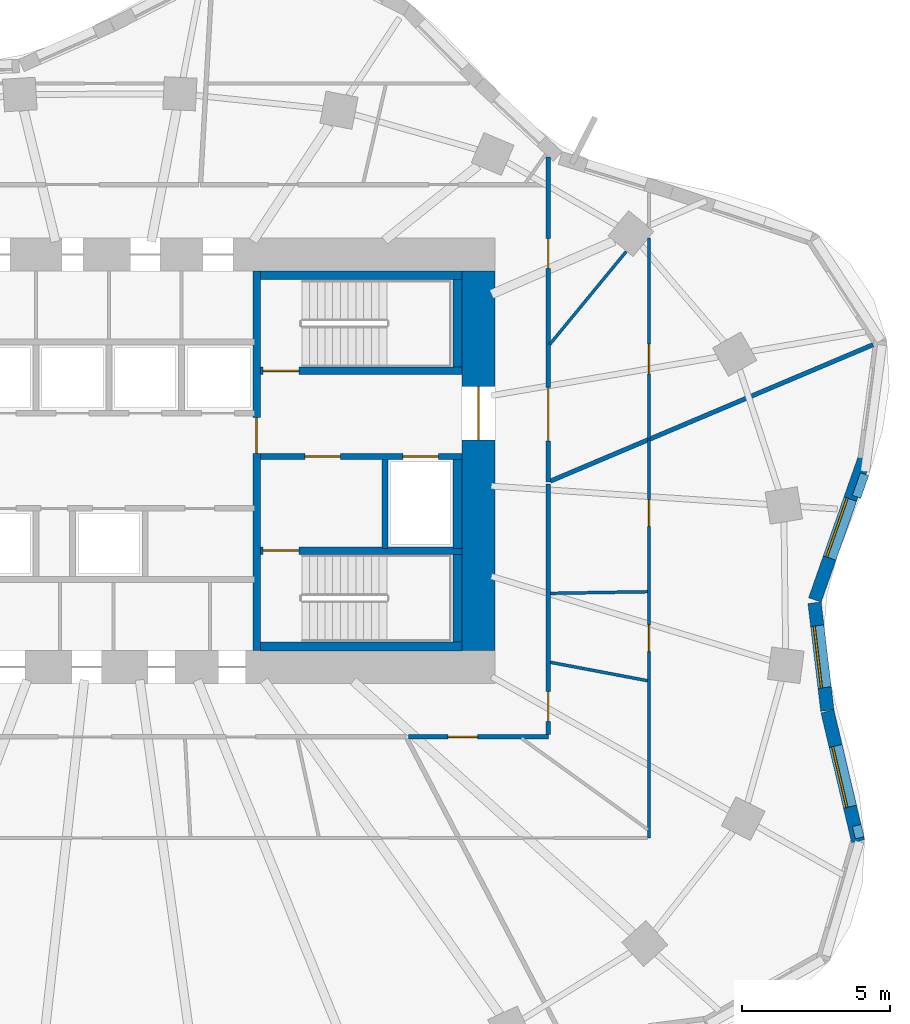
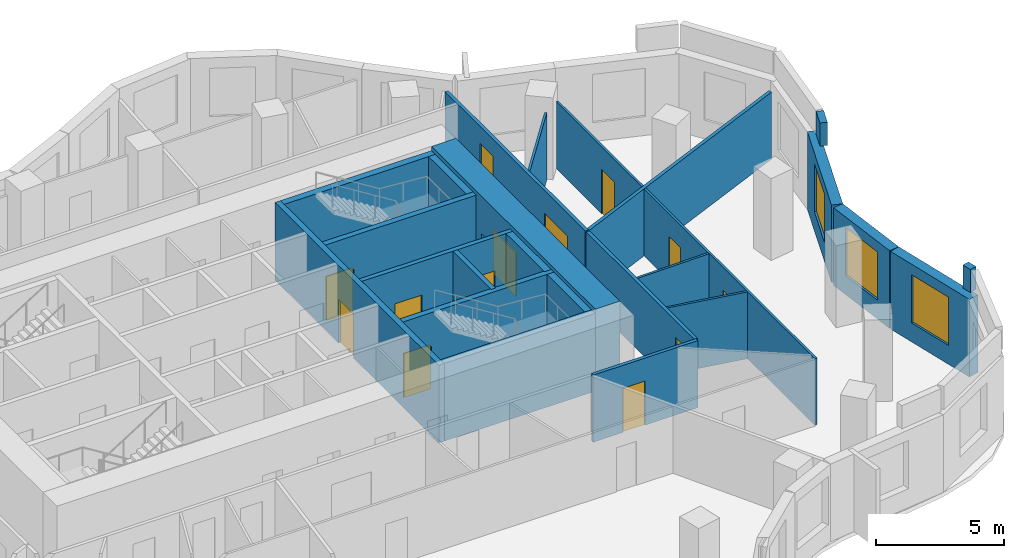
# One storey, part 6 of 9: 25 walls, 13 doors, 3 windows, 16 openings.
"""IFC4 building model written with IfcOpenShell, lengths in metres."""

from ifc_helpers import new_model, si_unit, direction, frame, frame_2d, origin, place, context, subcontext, project, spatial, rectangle, extrude, material, layer, layer_set, type_object, element, fill, save


model = new_model("IFC4")

# Units and contexts
model_context = context("Model", 3, precision=1e-05, world=origin(), true_north=direction((0.0, 1.0)))
body_context = subcontext(model_context, "Body", "Model", "MODEL_VIEW")
ifc_project = project(units=[si_unit("LENGTHUNIT", "METRE"), si_unit("AREAUNIT", "SQUARE_METRE"), si_unit("VOLUMEUNIT", "CUBIC_METRE"), si_unit("PLANEANGLEUNIT", "RADIAN"), si_unit("MASSUNIT", "GRAM", prefix="KILO")], contexts=[model_context])

# Site, building, storey
site_placement = place(None, origin())
site = spatial("IfcSite", under=ifc_project, at=site_placement, CompositionType="ELEMENT")
building_placement = place(site_placement, origin())
building = spatial("IfcBuilding", under=site, at=building_placement, Name="Rubra Terraces Tower", CompositionType="ELEMENT")
storey_placement = place(building_placement, frame((0.0, 0.0, 142.199951171875)))
storey = spatial("IfcBuildingStorey", under=building, at=storey_placement, Name="L34", CompositionType="ELEMENT", Elevation=142.199951171875)

# Wall, opening, window
ifc_material_1 = material(Name="Brick masonry red-brown", Category="masonry")
ifc_layer_1 = layer(ifc_material_1, 0.449951171875)
ifc_layer_set_1 = layer_set([ifc_layer_1], Name="Brick masonry red-brown")
wall_type_1 = type_object("IfcWallType", Name="Brick facade wall 450", PredefinedType="SOLIDWALL", material=ifc_layer_set_1)
wall_1_placement = place(storey_placement, frame((23.782470703125, -0.189208984375, 0.0), z_axis=(0.0, 0.0, 1.0), x_axis=(0.330794307703, 0.943702880144, 0.0)))
wall_1 = element("IfcWall", 1, at=wall_1_placement, inside=storey, type_object=wall_type_1, Name="Facade wall L34 bay 1", PredefinedType="SOLIDWALL", context=body_context, shape_type="SweptSolid", body=[
    extrude(rectangle(XDim=5.095458984375, YDim=0.449951171875, at=frame_2d((2.5478515625, 0.0))), origin(), (0.0, 0.0, 1.0), 3.699951171875),
])
opening_1_placement = place(wall_1_placement, frame((1.497802734375, 0.0, 0.89990234375)))
opening_1 = element("IfcOpeningElement", 2, at=opening_1_placement, cuts=wall_1, Name="Opening W1B", PredefinedType="OPENING", context=body_context, shape_type="SweptSolid", body=[
    extrude(rectangle(XDim=2.10009765625, YDim=2.300048828125, at=frame_2d((1.050048828125, 1.14990234375))), frame((0.0, 0.23486328125, 0.0), z_axis=(0.0, -1.0, 0.0), x_axis=(1.0, 0.0, 0.0)), (0.0, 0.0, 1.0), 0.469970703125),
])
ifc_material_2 = material(Name="Clear glass in aluminium frame", Category="aluminium")
window_type = type_object("IfcWindowType", Name="Fixed deep-set window tall storey 2100 x 2300", PartitioningType="SINGLE_PANEL", PredefinedType="WINDOW", material=ifc_material_2)
window_1_placement = place(opening_1_placement, origin())
window_1 = element("IfcWindow", 3, at=window_1_placement, inside=storey, type_object=window_type, Name="Window L34 bay 1", OverallHeight=2.300048828125, OverallWidth=2.10009765625, PartitioningType="SINGLE_PANEL", PredefinedType="WINDOW", context=body_context, shape_type="SweptSolid", body=[
    extrude(rectangle(XDim=2.10009765625, YDim=2.300048828125, at=frame_2d((1.050048828125, 1.14990234375))), frame((0.0, 0.135009765625, 0.0), z_axis=(0.0, -1.0, 0.0), x_axis=(1.0, 0.0, 0.0)), (0.0, 0.0, 1.0), 0.06005859375),
])
fill(opening_1, window_1)

wall_2_placement = place(storey_placement, frame((25.23974609375, -8.3193359375, 0.0), z_axis=(0.0, 0.0, 1.0), x_axis=(-0.230037604827, 0.973181740666, 0.0)))
wall_2 = element("IfcWall", 4, at=wall_2_placement, inside=storey, type_object=wall_type_1, Name="Facade wall L34 bay 39", PredefinedType="SOLIDWALL", context=body_context, shape_type="SweptSolid", body=[
    extrude(rectangle(XDim=4.497802734375, YDim=0.449951171875, at=frame_2d((2.2490234375, 0.0))), origin(), (0.0, 0.0, 1.0), 3.699951171875),
])
opening_2_placement = place(wall_2_placement, frame((1.198974609375, 0.0, 0.89990234375)))
opening_2 = element("IfcOpeningElement", 5, at=opening_2_placement, cuts=wall_2, Name="Opening W1B", PredefinedType="OPENING", context=body_context, shape_type="SweptSolid", body=[
    extrude(rectangle(XDim=2.10009765625, YDim=2.300048828125, at=frame_2d((1.050048828125, 1.14990234375))), frame((0.0, 0.23486328125, 0.0), z_axis=(0.0, -1.0, 0.0), x_axis=(1.0, 0.0, 0.0)), (0.0, 0.0, 1.0), 0.469970703125),
])
window_2_placement = place(opening_2_placement, origin())
window_2 = element("IfcWindow", 6, at=window_2_placement, inside=storey, type_object=window_type, Name="Window L34 bay 39", OverallHeight=2.300048828125, OverallWidth=2.10009765625, PartitioningType="SINGLE_PANEL", PredefinedType="WINDOW", context=body_context, shape_type="SweptSolid", body=[
    extrude(rectangle(XDim=2.10009765625, YDim=2.300048828125, at=frame_2d((1.050048828125, 1.14990234375))), frame((0.0, 0.135009765625, 0.0), z_axis=(0.0, -1.0, 0.0), x_axis=(1.0, 0.0, 0.0)), (0.0, 0.0, 1.0), 0.06005859375),
])
fill(opening_2, window_2)

wall_3_placement = place(storey_placement, frame((24.200927734375, -3.915283203125, 0.0), z_axis=(0.0, 0.0, 1.0), x_axis=(-0.117623597589, 0.993058250703, 0.0)))
wall_3 = element("IfcWall", 7, at=wall_3_placement, inside=storey, type_object=wall_type_1, Name="Facade wall L34 bay 40", PredefinedType="SOLIDWALL", context=body_context, shape_type="SweptSolid", body=[
    extrude(rectangle(XDim=3.6572265625, YDim=0.449951171875, at=frame_2d((1.82861328125, 0.0))), origin(), (0.0, 0.0, 1.0), 3.699951171875),
])
opening_3_placement = place(wall_3_placement, frame((0.77880859375, 0.0, 0.89990234375)))
opening_3 = element("IfcOpeningElement", 8, at=opening_3_placement, cuts=wall_3, Name="Opening W1B", PredefinedType="OPENING", context=body_context, shape_type="SweptSolid", body=[
    extrude(rectangle(XDim=2.10009765625, YDim=2.300048828125, at=frame_2d((1.050048828125, 1.14990234375))), frame((0.0, 0.23486328125, 0.0), z_axis=(0.0, -1.0, 0.0), x_axis=(1.0, 0.0, 0.0)), (0.0, 0.0, 1.0), 0.469970703125),
])
window_3_placement = place(opening_3_placement, origin())
window_3 = element("IfcWindow", 9, at=window_3_placement, inside=storey, type_object=window_type, Name="Window L34 bay 40", OverallHeight=2.300048828125, OverallWidth=2.10009765625, PartitioningType="SINGLE_PANEL", PredefinedType="WINDOW", context=body_context, shape_type="SweptSolid", body=[
    extrude(rectangle(XDim=2.10009765625, YDim=2.300048828125, at=frame_2d((1.050048828125, 1.14990234375))), frame((0.0, 0.135009765625, 0.0), z_axis=(0.0, -1.0, 0.0), x_axis=(1.0, 0.0, 0.0)), (0.0, 0.0, 1.0), 0.06005859375),
])
fill(opening_3, window_3)

# Walls
ifc_layer_2 = layer(ifc_material_1, 0.300048828125)
ifc_layer_set_2 = layer_set([ifc_layer_2], Name="Brick masonry red-brown")
wall_type_2 = type_object("IfcWallType", Name="Brick parapet 300", PredefinedType="PARAPET", material=ifc_layer_set_2)
wall_4_placement = place(storey_placement, frame((25.185302734375, 3.284912109375, 3.900146484375), z_axis=(0.0, 0.0, 1.0), x_axis=(0.330927638021, 0.943656133554, 0.0)))
element("IfcWall", 10, at=wall_4_placement, inside=storey, type_object=wall_type_2, Name="Parapet L34 bay 1", PredefinedType="PARAPET", context=body_context, shape_type="SweptSolid", body=[
    extrude(rectangle(XDim=0.81005859375, YDim=0.300048828125, at=frame_2d((0.405029296875, 0.0))), origin(), (0.0, 0.0, 1.0), 1.099853515625),
])
wall_5_placement = place(storey_placement, frame((25.288818359375, -8.200927734375, 3.900146484375), z_axis=(0.0, 0.0, 1.0), x_axis=(-0.229581787316, 0.97328937266, 0.0)))
element("IfcWall", 11, at=wall_5_placement, inside=storey, type_object=wall_type_2, Name="Parapet L34 bay 39", PredefinedType="PARAPET", context=body_context, shape_type="SweptSolid", body=[
    extrude(rectangle(XDim=0.426513671875, YDim=0.300048828125, at=frame_2d((0.21337890625, 0.0))), origin(), (0.0, 0.0, 1.0), 1.099853515625),
])

# Wall, opening, door
ifc_material_3 = material(Name="Concrete C60", Category="concrete")
ifc_layer_3 = layer(ifc_material_3, 1.10009765625)
ifc_layer_set_3 = layer_set([ifc_layer_3], Name="Concrete C60")
wall_type_3 = type_object("IfcWallType", Name="CORE WALL 1100 C60", PredefinedType="SHEAR", material=ifc_layer_set_3)
wall_6_placement = place(storey_placement, frame((12.449951171875, -1.89990234375, 0.0), z_axis=(0.0, 0.0, 1.0), x_axis=(0.0, 1.0, 0.0)))
wall_6 = element("IfcWall", 12, at=wall_6_placement, inside=storey, type_object=wall_type_3, Name="CORE WALL E L34", PredefinedType="SHEAR", context=body_context, shape_type="SweptSolid", body=[
    extrude(rectangle(XDim=12.7998046875, YDim=1.10009765625, at=frame_2d((6.39990234375, 0.0))), origin(), (0.0, 0.0, 1.0), 3.900146484375),
])
opening_4_placement = place(wall_6_placement, frame((7.10009765625, 0.0, 0.0)))
opening_4 = element("IfcOpeningElement", 13, at=opening_4_placement, cuts=wall_6, Name="Opening L34.C02", PredefinedType="OPENING", context=body_context, shape_type="SweptSolid", body=[
    extrude(rectangle(XDim=1.800048828125, YDim=2.10009765625, at=frame_2d((0.89990234375, 1.050048828125))), frame((0.0, 0.56005859375, 0.0), z_axis=(0.0, -1.0, 0.0), x_axis=(1.0, 0.0, 0.0)), (0.0, 0.0, 1.0), 1.1201171875),
])
ifc_material_4 = material(Name="Painted steel", Category="steel")
door_type_1 = type_object("IfcDoorType", Name="Fire door 1800x2100 double", OperationType="NOTDEFINED", PredefinedType="DOOR", material=ifc_material_4)
door_1_placement = place(opening_4_placement, origin())
door_1 = element("IfcDoor", 14, at=door_1_placement, inside=storey, type_object=door_type_1, Name="Core entrance door FF2", OperationType="DOUBLE_DOOR_SINGLE_SWING", OverallHeight=2.10009765625, OverallWidth=1.800048828125, PredefinedType="DOOR", context=body_context, shape_type="SweptSolid", body=[
    extrude(rectangle(XDim=1.800048828125, YDim=2.10009765625, at=frame_2d((0.89990234375, 1.050048828125))), frame((0.0, 0.02490234375, 0.0), z_axis=(0.0, -1.0, 0.0), x_axis=(1.0, 0.0, 0.0)), (0.0, 0.0, 1.0), 0.050048828125),
])
fill(opening_4, door_1)

# Wall, openings, doors
ifc_material_5 = material(Name="Plasterboard on steel stud, mineral wool infill", Category="steel")
ifc_layer_4 = layer(ifc_material_5, 0.14990234375)
ifc_layer_set_4 = layer_set([ifc_layer_4], Name="Plasterboard on steel stud, mineral wool infill")
wall_type_4 = type_object("IfcWallType", Name="CORRIDOR PARTITION 150", PredefinedType="PARTITIONING", material=ifc_layer_set_4)
wall_7_placement = place(storey_placement, frame((14.800048828125, 3.78369140625, 0.0), z_axis=(0.0, 0.0, 1.0), x_axis=(0.0, 1.0, 0.0)))
wall_7 = element("IfcWall", 15, at=wall_7_placement, inside=storey, type_object=wall_type_4, Name="PARTITION", PredefinedType="PARTITIONING", context=body_context, shape_type="SweptSolid", body=[
    extrude(rectangle(XDim=10.943115234375, YDim=0.14990234375, at=frame_2d((5.4716796875, 0.0))), origin(), (0.0, 0.0, 1.0), 3.197998046875),
])
opening_5_placement = place(wall_7_placement, frame((1.386962890625, 0.0, 0.0)))
opening_5 = element("IfcOpeningElement", 16, at=opening_5_placement, cuts=wall_7, Name="Opening 34-101", PredefinedType="OPENING", context=body_context, shape_type="SweptSolid", body=[
    extrude(rectangle(XDim=1.800048828125, YDim=2.10009765625, at=frame_2d((0.89990234375, 1.050048828125))), frame((0.0, 0.0849609375, 0.0), z_axis=(0.0, -1.0, 0.0), x_axis=(1.0, 0.0, 0.0)), (0.0, 0.0, 1.0), 0.169921875),
])
opening_6_placement = place(wall_7_placement, frame((7.198974609375, 0.0, 0.0)))
opening_6 = element("IfcOpeningElement", 17, at=opening_6_placement, cuts=wall_7, Name="Opening 34-103", PredefinedType="OPENING", context=body_context, shape_type="SweptSolid", body=[
    extrude(rectangle(XDim=1.0, YDim=2.39990234375, at=frame_2d((0.5, 1.199951171875))), frame((0.0, 0.0849609375, 0.0), z_axis=(0.0, -1.0, 0.0), x_axis=(1.0, 0.0, 0.0)), (0.0, 0.0, 1.0), 0.169921875),
])
ifc_material_6 = material(Name="Glazed aluminium meeting door leaf", Category="aluminium")
door_type_2 = type_object("IfcDoorType", Name="MEETING ROOM GLAZED DOOR 1000 X 2400", OperationType="SINGLE_SWING_LEFT", PredefinedType="DOOR", material=ifc_material_6)
door_2_placement = place(opening_6_placement, origin())
door_2 = element("IfcDoor", 18, at=door_2_placement, inside=storey, type_object=door_type_2, Name="DOOR 34-103", OperationType="SINGLE_SWING_RIGHT", OverallHeight=2.39990234375, OverallWidth=1.0, PredefinedType="DOOR", context=body_context, shape_type="SweptSolid", body=[
    extrude(rectangle(XDim=1.0, YDim=2.39990234375, at=frame_2d((0.5, 1.199951171875))), frame((0.0, 0.02490234375, 0.0), z_axis=(0.0, -1.0, 0.0), x_axis=(1.0, 0.0, 0.0)), (0.0, 0.0, 1.0), 0.050048828125),
])
fill(opening_6, door_2)
ifc_material_7 = material(Name="Painted timber door leaf, double", Category="wood")
door_type_3 = type_object("IfcDoorType", Name="ROOM DOUBLE DOOR 1800 X 2100", OperationType="DOUBLE_DOOR_SINGLE_SWING", PredefinedType="DOOR", material=ifc_material_7)
door_3_placement = place(opening_5_placement, origin())
door_3 = element("IfcDoor", 19, at=door_3_placement, inside=storey, type_object=door_type_3, Name="DOOR 34-101", OperationType="DOUBLE_DOOR_SINGLE_SWING", OverallHeight=2.10009765625, OverallWidth=1.800048828125, PredefinedType="DOOR", context=body_context, shape_type="SweptSolid", body=[
    extrude(rectangle(XDim=1.800048828125, YDim=2.10009765625, at=frame_2d((0.89990234375, 1.050048828125))), frame((0.0, 0.02490234375, 0.0), z_axis=(0.0, -1.0, 0.0), x_axis=(1.0, 0.0, 0.0)), (0.0, 0.0, 1.0), 0.050048828125),
])
fill(opening_5, door_3)

# Wall, opening, door
wall_8_placement = place(storey_placement, frame((10.086181640625, -4.800048828125, 0.0), z_axis=(0.0, 0.0, 1.0), x_axis=(1.0, 0.0, 0.0)))
wall_8 = element("IfcWall", 20, at=wall_8_placement, inside=storey, type_object=wall_type_4, Name="PARTITION", PredefinedType="PARTITIONING", context=body_context, shape_type="SweptSolid", body=[
    extrude(rectangle(XDim=4.7138671875, YDim=0.14990234375, at=frame_2d((2.35693359375, 0.0))), origin(), (0.0, 0.0, 1.0), 3.197998046875),
])
opening_7_placement = place(wall_8_placement, frame((1.3369140625, 0.0, 0.0)))
opening_7 = element("IfcOpeningElement", 21, at=opening_7_placement, cuts=wall_8, Name="Opening 34-119", PredefinedType="OPENING", context=body_context, shape_type="SweptSolid", body=[
    extrude(rectangle(XDim=1.0, YDim=2.10009765625, at=frame_2d((0.5, 1.050048828125))), frame((0.0, 0.0849609375, 0.0), z_axis=(0.0, -1.0, 0.0), x_axis=(1.0, 0.0, 0.0)), (0.0, 0.0, 1.0), 0.169921875),
])
ifc_material_8 = material(Name="Painted timber door leaf", Category="wood")
door_type_4 = type_object("IfcDoorType", Name="ROOM DOOR 1000 X 2100", OperationType="SINGLE_SWING_LEFT", PredefinedType="DOOR", material=ifc_material_8)
door_4_placement = place(opening_7_placement, origin())
door_4 = element("IfcDoor", 22, at=door_4_placement, inside=storey, type_object=door_type_4, Name="DOOR 34-119", OperationType="SINGLE_SWING_RIGHT", OverallHeight=2.10009765625, OverallWidth=1.0, PredefinedType="DOOR", context=body_context, shape_type="SweptSolid", body=[
    extrude(rectangle(XDim=1.0, YDim=2.10009765625, at=frame_2d((0.5, 1.050048828125))), frame((0.0, 0.02490234375, 0.0), z_axis=(0.0, -1.0, 0.0), x_axis=(1.0, 0.0, 0.0)), (0.0, 0.0, 1.0), 0.050048828125),
])
fill(opening_7, door_4)

wall_9_placement = place(storey_placement, frame((14.800048828125, -4.72509765625, 0.0), z_axis=(0.0, 0.0, 1.0), x_axis=(0.0, 1.0, 0.0)))
wall_9 = element("IfcWall", 23, at=wall_9_placement, inside=storey, type_object=wall_type_4, Name="PARTITION", PredefinedType="PARTITIONING", context=body_context, shape_type="SweptSolid", body=[
    extrude(rectangle(XDim=8.433837890625, YDim=0.14990234375, at=frame_2d((4.216796875, 0.0))), origin(), (0.0, 0.0, 1.0), 3.197998046875),
])
opening_8_placement = place(wall_9_placement, frame((0.449951171875, 0.0, 0.0)))
opening_8 = element("IfcOpeningElement", 24, at=opening_8_placement, cuts=wall_9, Name="Opening 34-121", PredefinedType="OPENING", context=body_context, shape_type="SweptSolid", body=[
    extrude(rectangle(XDim=1.0, YDim=2.39990234375, at=frame_2d((0.5, 1.199951171875))), frame((0.0, 0.0849609375, 0.0), z_axis=(0.0, -1.0, 0.0), x_axis=(1.0, 0.0, 0.0)), (0.0, 0.0, 1.0), 0.169921875),
])
door_5_placement = place(opening_8_placement, origin())
door_5 = element("IfcDoor", 25, at=door_5_placement, inside=storey, type_object=door_type_2, Name="DOOR 34-121", OperationType="SINGLE_SWING_RIGHT", OverallHeight=2.39990234375, OverallWidth=1.0, PredefinedType="DOOR", context=body_context, shape_type="SweptSolid", body=[
    extrude(rectangle(XDim=1.0, YDim=2.39990234375, at=frame_2d((0.5, 1.199951171875))), frame((0.0, 0.02490234375, 0.0), z_axis=(0.0, -1.0, 0.0), x_axis=(1.0, 0.0, 0.0)), (0.0, 0.0, 1.0), 0.050048828125),
])
fill(opening_8, door_5)

# Walls
ifc_material_9 = material(Name="Concrete C40", Category="concrete")
ifc_layer_5 = layer(ifc_material_9, 0.300048828125)
ifc_layer_set_5 = layer_set([ifc_layer_5], Name="Concrete C40")
wall_type_5 = type_object("IfcWallType", Name="Core lining wall 300 concrete", PredefinedType="SOLIDWALL", material=ifc_layer_set_5)
wall_10_placement = place(storey_placement, frame((11.89990234375, 10.75, 0.0), z_axis=(0.0, 0.0, 1.0), x_axis=(-1.0, 0.0, 0.0)))
element("IfcWall", 26, at=wall_10_placement, inside=storey, type_object=wall_type_5, Name="CORE LINING WALL L34", PredefinedType="SOLIDWALL", context=body_context, shape_type="SweptSolid", body=[
    extrude(rectangle(XDim=6.7998046875, YDim=0.300048828125, at=frame_2d((3.39990234375, 0.0))), origin(), (0.0, 0.0, 1.0), 3.699951171875),
])
wall_11_placement = place(storey_placement, frame((11.75, 10.60009765625, 0.0), z_axis=(0.0, 0.0, 1.0), x_axis=(0.0, -1.0, 0.0)))
element("IfcWall", 27, at=wall_11_placement, inside=storey, type_object=wall_type_5, Name="CORE LINING WALL L34", PredefinedType="SOLIDWALL", context=body_context, shape_type="SweptSolid", body=[
    extrude(rectangle(XDim=2.9501953125, YDim=0.300048828125, at=frame_2d((1.47509765625, 0.0))), origin(), (0.0, 0.0, 1.0), 3.699951171875),
])
wall_12_placement = place(storey_placement, frame((11.75, 4.550048828125, 0.0), z_axis=(0.0, 0.0, 1.0), x_axis=(0.0, -1.0, 0.0)))
element("IfcWall", 28, at=wall_12_placement, inside=storey, type_object=wall_type_5, Name="CORE LINING WALL L34", PredefinedType="SOLIDWALL", context=body_context, shape_type="SweptSolid", body=[
    extrude(rectangle(XDim=3.0, YDim=0.300048828125, at=frame_2d((1.5, 0.0))), origin(), (0.0, 0.0, 1.0), 3.699951171875),
])
wall_13_placement = place(storey_placement, frame((11.75, 1.35009765625, 0.0), z_axis=(0.0, 0.0, 1.0), x_axis=(0.0, -1.0, 0.0)))
element("IfcWall", 29, at=wall_13_placement, inside=storey, type_object=wall_type_5, Name="CORE LINING WALL L34", PredefinedType="SOLIDWALL", context=body_context, shape_type="SweptSolid", body=[
    extrude(rectangle(XDim=2.9501953125, YDim=0.300048828125, at=frame_2d((1.47509765625, 0.0))), origin(), (0.0, 0.0, 1.0), 3.699951171875),
])
wall_14_placement = place(storey_placement, frame((11.89990234375, -1.75, 0.0), z_axis=(0.0, 0.0, 1.0), x_axis=(-1.0, 0.0, 0.0)))
element("IfcWall", 30, at=wall_14_placement, inside=storey, type_object=wall_type_5, Name="CORE LINING WALL L34", PredefinedType="SOLIDWALL", context=body_context, shape_type="SweptSolid", body=[
    extrude(rectangle(XDim=6.7998046875, YDim=0.300048828125, at=frame_2d((3.39990234375, 0.0))), origin(), (0.0, 0.0, 1.0), 3.699951171875),
])

# Wall, openings, doors
ifc_material_10 = material(Name="Concrete C30", Category="concrete")
ifc_layer_6 = layer(ifc_material_10, 0.199951171875)
ifc_layer_set_6 = layer_set([ifc_layer_6], Name="Concrete C30")
wall_type_6 = type_object("IfcWallType", Name="Core wall 200 concrete", PredefinedType="SOLIDWALL", material=ifc_layer_set_6)
wall_15_placement = place(storey_placement, frame((11.89990234375, 4.64990234375, 0.0), z_axis=(0.0, 0.0, 1.0), x_axis=(-1.0, 0.0, 0.0)))
wall_15 = element("IfcWall", 31, at=wall_15_placement, inside=storey, type_object=wall_type_6, Name="STAIR WALL L34", PredefinedType="SOLIDWALL", context=body_context, shape_type="SweptSolid", body=[
    extrude(rectangle(XDim=6.7998046875, YDim=0.199951171875, at=frame_2d((3.39990234375, 0.0))), origin(), (0.0, 0.0, 1.0), 3.699951171875),
])
opening_9_placement = place(wall_15_placement, frame((4.10009765625, 0.0, 0.0)))
opening_9 = element("IfcOpeningElement", 32, at=opening_9_placement, cuts=wall_15, Name="Opening L34.C06", PredefinedType="OPENING", context=body_context, shape_type="SweptSolid", body=[
    extrude(rectangle(XDim=1.199951171875, YDim=2.10009765625, at=frame_2d((0.60009765625, 1.050048828125))), frame((0.0, 0.10986328125, 0.0), z_axis=(0.0, -1.0, 0.0), x_axis=(1.0, 0.0, 0.0)), (0.0, 0.0, 1.0), 0.219970703125),
])
opening_10_placement = place(wall_15_placement, frame((0.800048828125, 0.0, 0.0)))
opening_10 = element("IfcOpeningElement", 33, at=opening_10_placement, cuts=wall_15, Name="Opening L34.C12", PredefinedType="OPENING", context=body_context, shape_type="SweptSolid", body=[
    extrude(rectangle(XDim=1.199951171875, YDim=2.10009765625, at=frame_2d((0.60009765625, 1.050048828125))), frame((0.0, 0.10986328125, 0.0), z_axis=(0.0, -1.0, 0.0), x_axis=(1.0, 0.0, 0.0)), (0.0, 0.0, 1.0), 0.219970703125),
])
door_type_5 = type_object("IfcDoorType", Name="Fire door 1200x2100 single", OperationType="NOTDEFINED", PredefinedType="DOOR", material=ifc_material_4)
door_6_placement = place(opening_9_placement, origin())
door_6 = element("IfcDoor", 34, at=door_6_placement, inside=storey, type_object=door_type_5, Name="Stair vestibule door S4", OperationType="SINGLE_SWING_RIGHT", OverallHeight=2.10009765625, OverallWidth=1.199951171875, PredefinedType="DOOR", context=body_context, shape_type="SweptSolid", body=[
    extrude(rectangle(XDim=1.199951171875, YDim=2.10009765625, at=frame_2d((0.60009765625, 1.050048828125))), frame((0.0, 0.02490234375, 0.0), z_axis=(0.0, -1.0, 0.0), x_axis=(1.0, 0.0, 0.0)), (0.0, 0.0, 1.0), 0.050048828125),
])
fill(opening_9, door_6)
ifc_material_11 = material(Name="Stainless steel", Category="steel")
door_type_6 = type_object("IfcDoorType", Name="Lift landing door 1200x2100", OperationType="NOTDEFINED", PredefinedType="DOOR", material=ifc_material_11)
door_7_placement = place(opening_10_placement, origin())
door_7 = element("IfcDoor", 35, at=door_7_placement, inside=storey, type_object=door_type_6, Name="Landing door FF2", OperationType="SLIDING_TO_RIGHT", OverallHeight=2.10009765625, OverallWidth=1.199951171875, PredefinedType="DOOR", context=body_context, shape_type="SweptSolid", body=[
    extrude(rectangle(XDim=1.199951171875, YDim=2.10009765625, at=frame_2d((0.60009765625, 1.050048828125))), frame((0.0, 0.02490234375, 0.0), z_axis=(0.0, -1.0, 0.0), x_axis=(1.0, 0.0, 0.0)), (0.0, 0.0, 1.0), 0.050048828125),
])
fill(opening_10, door_7)

# Wall
wall_16_placement = place(storey_placement, frame((9.300048828125, 4.550048828125, 0.0), z_axis=(0.0, 0.0, 1.0), x_axis=(0.0, -1.0, 0.0)))
element("IfcWall", 36, at=wall_16_placement, inside=storey, type_object=wall_type_6, Name="STAIR WALL L34", PredefinedType="SOLIDWALL", context=body_context, shape_type="SweptSolid", body=[
    extrude(rectangle(XDim=3.0, YDim=0.199951171875, at=frame_2d((1.5, 0.0))), origin(), (0.0, 0.0, 1.0), 3.699951171875),
])

# Wall, opening, door
ifc_material_12 = material(Name="Plasterboard on steel stud", Category="steel")
ifc_layer_7 = layer(ifc_material_12, 0.10009765625)
ifc_layer_set_7 = layer_set([ifc_layer_7], Name="Plasterboard on steel stud")
wall_type_7 = type_object("IfcWallType", Name="ROOM PARTITION 100", PredefinedType="PARTITIONING", material=ifc_layer_set_7)
wall_17_placement = place(storey_placement, frame((18.199951171875, 12.00146484375, 0.0), z_axis=(0.0, 0.0, 1.0), x_axis=(0.0, -1.0, 0.0)))
wall_17 = element("IfcWall", 37, at=wall_17_placement, inside=storey, type_object=wall_type_7, Name="PARTITION", PredefinedType="PARTITIONING", context=body_context, shape_type="SweptSolid", body=[
    extrude(rectangle(XDim=6.758544921875, YDim=0.10009765625, at=frame_2d((3.37939453125, 0.0))), origin(), (0.0, 0.0, 1.0), 3.18408203125),
])
opening_11_placement = place(wall_17_placement, frame((3.573974609375, 0.0, 0.0)))
opening_11 = element("IfcOpeningElement", 38, at=opening_11_placement, cuts=wall_17, Name="Opening 34-102", PredefinedType="OPENING", context=body_context, shape_type="SweptSolid", body=[
    extrude(rectangle(XDim=1.0, YDim=2.10009765625, at=frame_2d((0.5, 1.050048828125))), frame((0.0, 0.06005859375, 0.0), z_axis=(0.0, -1.0, 0.0), x_axis=(1.0, 0.0, 0.0)), (0.0, 0.0, 1.0), 0.1201171875),
])
door_8_placement = place(opening_11_placement, origin())
door_8 = element("IfcDoor", 39, at=door_8_placement, inside=storey, type_object=door_type_4, Name="DOOR 34-102", OperationType="SINGLE_SWING_LEFT", OverallHeight=2.10009765625, OverallWidth=1.0, PredefinedType="DOOR", context=body_context, shape_type="SweptSolid", body=[
    extrude(rectangle(XDim=1.0, YDim=2.10009765625, at=frame_2d((0.5, 1.050048828125))), frame((0.0, 0.02490234375, 0.0), z_axis=(0.0, -1.0, 0.0), x_axis=(1.0, 0.0, 0.0)), (0.0, 0.0, 1.0), 0.050048828125),
])
fill(opening_11, door_8)

# Wall
wall_18_placement = place(storey_placement, frame((14.84765625, 8.415283203125, 0.0), z_axis=(0.0, 0.0, 1.0), x_axis=(0.63542004032, 0.77216667395, 0.0)))
element("IfcWall", 40, at=wall_18_placement, inside=storey, type_object=wall_type_7, Name="PARTITION", PredefinedType="PARTITIONING", context=body_context, shape_type="SweptSolid", body=[
    extrude(rectangle(XDim=4.052734375, YDim=0.10009765625, at=frame_2d((2.0263671875, 0.0))), origin(), (0.0, 0.0, 1.0), 3.18408203125),
])

# Wall, openings, doors
wall_19_placement = place(storey_placement, frame((18.199951171875, 5.199462890625, 0.0), z_axis=(0.0, 0.0, 1.0), x_axis=(0.0, -1.0, 0.0)))
wall_19 = element("IfcWall", 41, at=wall_19_placement, inside=storey, type_object=wall_type_7, Name="PARTITION", PredefinedType="PARTITIONING", context=body_context, shape_type="SweptSolid", body=[
    extrude(rectangle(XDim=13.3994140625, YDim=0.10009765625, at=frame_2d((6.69970703125, 0.0))), origin(), (0.0, 0.0, 1.0), 3.18408203125),
])
opening_12_placement = place(wall_19_placement, frame((6.22705078125, 0.0, 0.0)))
opening_12 = element("IfcOpeningElement", 42, at=opening_12_placement, cuts=wall_19, Name="Opening 34-122", PredefinedType="OPENING", context=body_context, shape_type="SweptSolid", body=[
    extrude(rectangle(XDim=0.89990234375, YDim=2.10009765625, at=frame_2d((0.449951171875, 1.050048828125))), frame((0.0, 0.06005859375, 0.0), z_axis=(0.0, -1.0, 0.0), x_axis=(1.0, 0.0, 0.0)), (0.0, 0.0, 1.0), 0.1201171875),
])
opening_13_placement = place(wall_19_placement, frame((2.007080078125, 0.0, 0.0)))
opening_13 = element("IfcOpeningElement", 43, at=opening_13_placement, cuts=wall_19, Name="Opening 34-123", PredefinedType="OPENING", context=body_context, shape_type="SweptSolid", body=[
    extrude(rectangle(XDim=0.89990234375, YDim=2.10009765625, at=frame_2d((0.449951171875, 1.050048828125))), frame((0.0, 0.06005859375, 0.0), z_axis=(0.0, -1.0, 0.0), x_axis=(1.0, 0.0, 0.0)), (0.0, 0.0, 1.0), 0.1201171875),
])
door_type_7 = type_object("IfcDoorType", Name="ROOM DOOR 900 X 2100", OperationType="SINGLE_SWING_LEFT", PredefinedType="DOOR", material=ifc_material_8)
door_9_placement = place(opening_12_placement, origin())
door_9 = element("IfcDoor", 44, at=door_9_placement, inside=storey, type_object=door_type_7, Name="DOOR 34-122", OperationType="SINGLE_SWING_LEFT", OverallHeight=2.10009765625, OverallWidth=0.89990234375, PredefinedType="DOOR", context=body_context, shape_type="SweptSolid", body=[
    extrude(rectangle(XDim=0.89990234375, YDim=2.10009765625, at=frame_2d((0.449951171875, 1.050048828125))), frame((0.0, 0.02490234375, 0.0), z_axis=(0.0, -1.0, 0.0), x_axis=(1.0, 0.0, 0.0)), (0.0, 0.0, 1.0), 0.050048828125),
])
fill(opening_12, door_9)
door_10_placement = place(opening_13_placement, origin())
door_10 = element("IfcDoor", 45, at=door_10_placement, inside=storey, type_object=door_type_7, Name="DOOR 34-123", OperationType="SINGLE_SWING_LEFT", OverallHeight=2.10009765625, OverallWidth=0.89990234375, PredefinedType="DOOR", context=body_context, shape_type="SweptSolid", body=[
    extrude(rectangle(XDim=0.89990234375, YDim=2.10009765625, at=frame_2d((0.449951171875, 1.050048828125))), frame((0.0, 0.02490234375, 0.0), z_axis=(0.0, -1.0, 0.0), x_axis=(1.0, 0.0, 0.0)), (0.0, 0.0, 1.0), 0.050048828125),
])
fill(opening_13, door_10)

# Walls
wall_20_placement = place(storey_placement, frame((14.873779296875, -2.289794921875, 0.0), z_axis=(0.0, 0.0, 1.0), x_axis=(0.982563379302, -0.185927958238, 0.0)))
element("IfcWall", 46, at=wall_20_placement, inside=storey, type_object=wall_type_7, Name="PARTITION", PredefinedType="PARTITIONING", context=body_context, shape_type="SweptSolid", body=[
    extrude(rectangle(XDim=3.335205078125, YDim=0.10009765625, at=frame_2d((1.66748046875, 0.0))), origin(), (0.0, 0.0, 1.0), 3.18408203125),
])
wall_21_placement = place(storey_placement, frame((14.875, 0.033203125, 0.0), z_axis=(0.0, 0.0, 1.0), x_axis=(0.999856843244, 0.016920195573, 0.0)))
element("IfcWall", 47, at=wall_21_placement, inside=storey, type_object=wall_type_7, Name="PARTITION", PredefinedType="PARTITIONING", context=body_context, shape_type="SweptSolid", body=[
    extrude(rectangle(XDim=3.275390625, YDim=0.10009765625, at=frame_2d((1.6376953125, 0.0))), origin(), (0.0, 0.0, 1.0), 3.18408203125),
])
ifc_layer_8 = layer(ifc_material_12, 0.14990234375)
ifc_layer_set_8 = layer_set([ifc_layer_8], Name="Plasterboard on steel stud")
wall_type_8 = type_object("IfcWallType", Name="ROOM PARTITION 150", PredefinedType="PARTITIONING", material=ifc_layer_set_8)
wall_22_placement = place(storey_placement, frame((25.738525390625, 8.408447265625, 0.0), z_axis=(0.0, 0.0, 1.0), x_axis=(-0.921062306608, -0.389415237692, 0.0)))
element("IfcWall", 48, at=wall_22_placement, inside=storey, type_object=wall_type_8, Name="PARTITION", PredefinedType="PARTITIONING", context=body_context, shape_type="SweptSolid", body=[
    extrude(rectangle(XDim=11.801025390625, YDim=0.14990234375, at=frame_2d((5.900390625, 0.0))), origin(), (0.0, 0.0, 1.0), 3.197998046875),
])

# Wall, opening, door
ifc_layer_9 = layer(ifc_material_9, 0.25)
ifc_layer_set_9 = layer_set([ifc_layer_9], Name="Concrete C40")
wall_type_9 = type_object("IfcWallType", Name="Stair enclosure wall 250 concrete", PredefinedType="SOLIDWALL", material=ifc_layer_set_9)
wall_23_placement = place(storey_placement, frame((11.89990234375, 7.52490234375, 0.0), z_axis=(0.0, 0.0, 1.0), x_axis=(-1.0, 0.0, 0.0)))
wall_23 = element("IfcWall", 49, at=wall_23_placement, inside=storey, type_object=wall_type_9, Name="STAIR WALL L34", PredefinedType="SOLIDWALL", context=body_context, shape_type="SweptSolid", body=[
    extrude(rectangle(XDim=6.7998046875, YDim=0.25, at=frame_2d((3.39990234375, 0.0))), origin(), (0.0, 0.0, 1.0), 3.699951171875),
])
opening_14_placement = place(wall_23_placement, frame((5.5, 0.0, 0.0)))
opening_14 = element("IfcOpeningElement", 50, at=opening_14_placement, cuts=wall_23, Name="Opening L34.C08", PredefinedType="OPENING", context=body_context, shape_type="SweptSolid", body=[
    extrude(rectangle(XDim=1.199951171875, YDim=2.10009765625, at=frame_2d((0.60009765625, 1.050048828125))), frame((0.0, 0.135009765625, 0.0), z_axis=(0.0, -1.0, 0.0), x_axis=(1.0, 0.0, 0.0)), (0.0, 0.0, 1.0), 0.27001953125),
])
door_11_placement = place(opening_14_placement, origin())
door_11 = element("IfcDoor", 51, at=door_11_placement, inside=storey, type_object=door_type_5, Name="Stair door S3", OperationType="SINGLE_SWING_RIGHT", OverallHeight=2.10009765625, OverallWidth=1.199951171875, PredefinedType="DOOR", context=body_context, shape_type="SweptSolid", body=[
    extrude(rectangle(XDim=1.199951171875, YDim=2.10009765625, at=frame_2d((0.60009765625, 1.050048828125))), frame((0.0, 0.02490234375, 0.0), z_axis=(0.0, -1.0, 0.0), x_axis=(1.0, 0.0, 0.0)), (0.0, 0.0, 1.0), 0.050048828125),
])
fill(opening_14, door_11)

wall_24_placement = place(storey_placement, frame((11.89990234375, 1.47509765625, 0.0), z_axis=(0.0, 0.0, 1.0), x_axis=(-1.0, 0.0, 0.0)))
wall_24 = element("IfcWall", 52, at=wall_24_placement, inside=storey, type_object=wall_type_9, Name="STAIR WALL L34", PredefinedType="SOLIDWALL", context=body_context, shape_type="SweptSolid", body=[
    extrude(rectangle(XDim=6.7998046875, YDim=0.25, at=frame_2d((3.39990234375, 0.0))), origin(), (0.0, 0.0, 1.0), 3.699951171875),
])
opening_15_placement = place(wall_24_placement, frame((5.5, 0.0, 0.0)))
opening_15 = element("IfcOpeningElement", 53, at=opening_15_placement, cuts=wall_24, Name="Opening L34.C10", PredefinedType="OPENING", context=body_context, shape_type="SweptSolid", body=[
    extrude(rectangle(XDim=1.199951171875, YDim=2.10009765625, at=frame_2d((0.60009765625, 1.050048828125))), frame((0.0, 0.135009765625, 0.0), z_axis=(0.0, -1.0, 0.0), x_axis=(1.0, 0.0, 0.0)), (0.0, 0.0, 1.0), 0.27001953125),
])
door_12_placement = place(opening_15_placement, origin())
door_12 = element("IfcDoor", 54, at=door_12_placement, inside=storey, type_object=door_type_5, Name="Stair door S4", OperationType="SINGLE_SWING_RIGHT", OverallHeight=2.10009765625, OverallWidth=1.199951171875, PredefinedType="DOOR", context=body_context, shape_type="SweptSolid", body=[
    extrude(rectangle(XDim=1.199951171875, YDim=2.10009765625, at=frame_2d((0.60009765625, 1.050048828125))), frame((0.0, 0.02490234375, 0.0), z_axis=(0.0, -1.0, 0.0), x_axis=(1.0, 0.0, 0.0)), (0.0, 0.0, 1.0), 0.050048828125),
])
fill(opening_15, door_12)

wall_25_placement = place(storey_placement, frame((4.97509765625, 10.89990234375, 0.0), z_axis=(0.0, 0.0, 1.0), x_axis=(0.0, -1.0, 0.0)))
wall_25 = element("IfcWall", 55, at=wall_25_placement, inside=storey, type_object=wall_type_9, Name="CORE LOBBY WALL L34", PredefinedType="SOLIDWALL", context=body_context, shape_type="SweptSolid", body=[
    extrude(rectangle(XDim=12.7998046875, YDim=0.25, at=frame_2d((6.39990234375, 0.0))), origin(), (0.0, 0.0, 1.0), 3.699951171875),
])
opening_16_placement = place(wall_25_placement, frame((4.949951171875, 0.0, 0.0)))
opening_16 = element("IfcOpeningElement", 56, at=opening_16_placement, cuts=wall_25, Name="Opening L34.C04", PredefinedType="OPENING", context=body_context, shape_type="SweptSolid", body=[
    extrude(rectangle(XDim=1.199951171875, YDim=2.10009765625, at=frame_2d((0.60009765625, 1.050048828125))), frame((0.0, 0.135009765625, 0.0), z_axis=(0.0, -1.0, 0.0), x_axis=(1.0, 0.0, 0.0)), (0.0, 0.0, 1.0), 0.27001953125),
])
door_13_placement = place(opening_16_placement, origin())
door_13 = element("IfcDoor", 57, at=door_13_placement, inside=storey, type_object=door_type_5, Name="Firefighting lobby door FF2", OperationType="SINGLE_SWING_RIGHT", OverallHeight=2.10009765625, OverallWidth=1.199951171875, PredefinedType="DOOR", context=body_context, shape_type="SweptSolid", body=[
    extrude(rectangle(XDim=1.199951171875, YDim=2.10009765625, at=frame_2d((0.60009765625, 1.050048828125))), frame((0.0, 0.02490234375, 0.0), z_axis=(0.0, -1.0, 0.0), x_axis=(1.0, 0.0, 0.0)), (0.0, 0.0, 1.0), 0.050048828125),
])
fill(opening_16, door_13)

save(model, "model.ifc")
